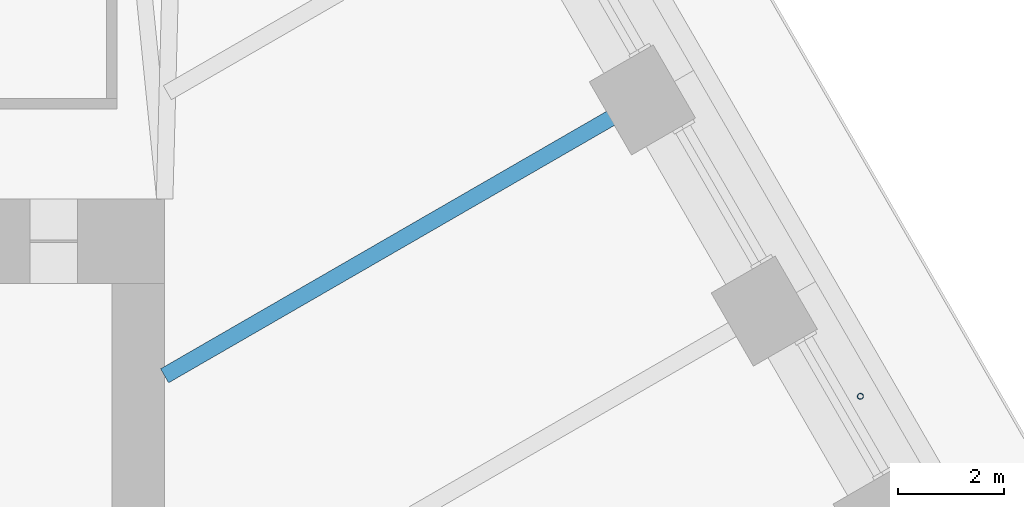
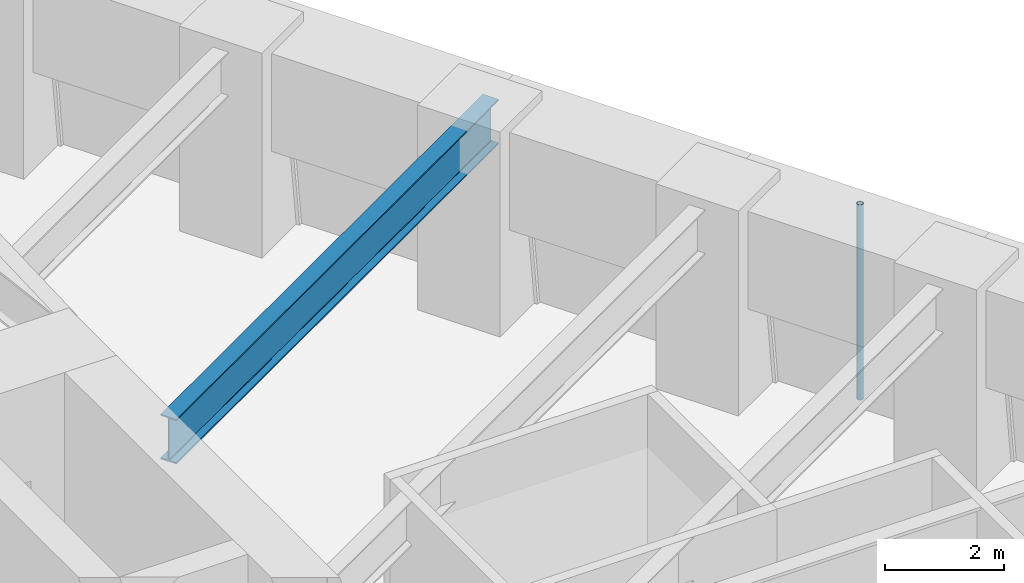
# One storey, part 10 of 20: 1 beam, 1 member.
"""IFC4 building model written with IfcOpenShell, lengths in metres."""

from ifc_helpers import new_model, si_unit, direction, frame, origin, origin_2d, place, context, subcontext, project, spatial, hollow_circle, i_section, extrude, material, material_profile, profile_set, type_object, element, save


model = new_model("IFC4")

# Units and contexts
model_context = context("Model", 3, precision=1e-05, world=origin(), true_north=direction((0.0, 1.0)))
body_context = subcontext(model_context, "Body", "Model", "MODEL_VIEW")
ifc_project = project(units=[si_unit("LENGTHUNIT", "METRE"), si_unit("AREAUNIT", "SQUARE_METRE"), si_unit("VOLUMEUNIT", "CUBIC_METRE"), si_unit("PLANEANGLEUNIT", "RADIAN"), si_unit("MASSUNIT", "GRAM", prefix="KILO")], contexts=[model_context])

# Site, building, storey
site_placement = place(None, origin())
site = spatial("IfcSite", under=ifc_project, at=site_placement, CompositionType="ELEMENT")
building_placement = place(site_placement, origin())
building = spatial("IfcBuilding", under=site, at=building_placement, Name="Tarfa Lantern Tower", CompositionType="ELEMENT")
storey_placement = place(building_placement, frame((0.0, 0.0, 219.699951171875)))
storey = spatial("IfcBuildingStorey", under=building, at=storey_placement, Name="L49", CompositionType="ELEMENT", Elevation=219.699951171875)

# Member
ifc_material_1 = material(Name="Steel S355", Category="steel")
ifc_material_profile_1 = material_profile(ifc_material_1, hollow_circle(Radius=0.05712890625, WallThickness=0.00634765625, at=origin_2d()), Name="CHS114.3x6.3")
ifc_profile_set_1 = profile_set([ifc_material_profile_1], Name="Steel S355")
member_type = type_object("IfcMemberType", Name="TR1 GREEN WALL TRELLIS CHS114.3x6.3", PredefinedType="USERDEFINED", material=ifc_profile_set_1)
member_placement = place(storey_placement, frame((28.682861328125, 8.56005859375, 0.0), z_axis=(0.0, 0.0, 1.0), x_axis=(1.0, 0.0, 0.0)))
element("IfcMember", 1, at=member_placement, inside=storey, type_object=member_type, Name="Trellis post NE 1", ObjectType="TRELLIS", PredefinedType="USERDEFINED", context=body_context, shape_type="SweptSolid", body=[
    extrude(hollow_circle(Radius=0.05712890625, WallThickness=0.00634765625, at=origin_2d()), origin(), (0.0, 0.0, 1.0), 4.0),
])

# Beam
ifc_material_2 = material(Name="Steel S460M", Category="steel")
ifc_material_profile_2 = material_profile(ifc_material_2, i_section(OverallWidth=0.305419921875, OverallDepth=0.91845703125, WebThickness=0.017333984375, FlangeThickness=0.02783203125, FilletRadius=0.01904296875, at=origin_2d()), Name="UB914x305x253")
ifc_profile_set_2 = profile_set([ifc_material_profile_2], Name="Steel S460M")
beam_type = type_object("IfcBeamType", Name="UB914x305x253", PredefinedType="BEAM", material=ifc_profile_set_2)
beam_placement = place(storey_placement, frame((24.872314453125, 14.360107421875, 3.540771484375), z_axis=(-0.8660244219, -0.500001700669, 0.0), x_axis=(0.500001700669, -0.8660244219, 0.0)))
element("IfcBeam", 2, at=beam_placement, inside=storey, type_object=beam_type, Name="Floor beam NE3", PredefinedType="BEAM", context=body_context, shape_type="SweptSolid", body=[
    extrude(i_section(OverallWidth=0.305419921875, OverallDepth=0.91845703125, WebThickness=0.017333984375, FlangeThickness=0.02783203125, FilletRadius=0.01904296875, at=origin_2d()), origin(), (0.0, 0.0, 1.0), 10.822265625),
])

save(model, "model.ifc")
